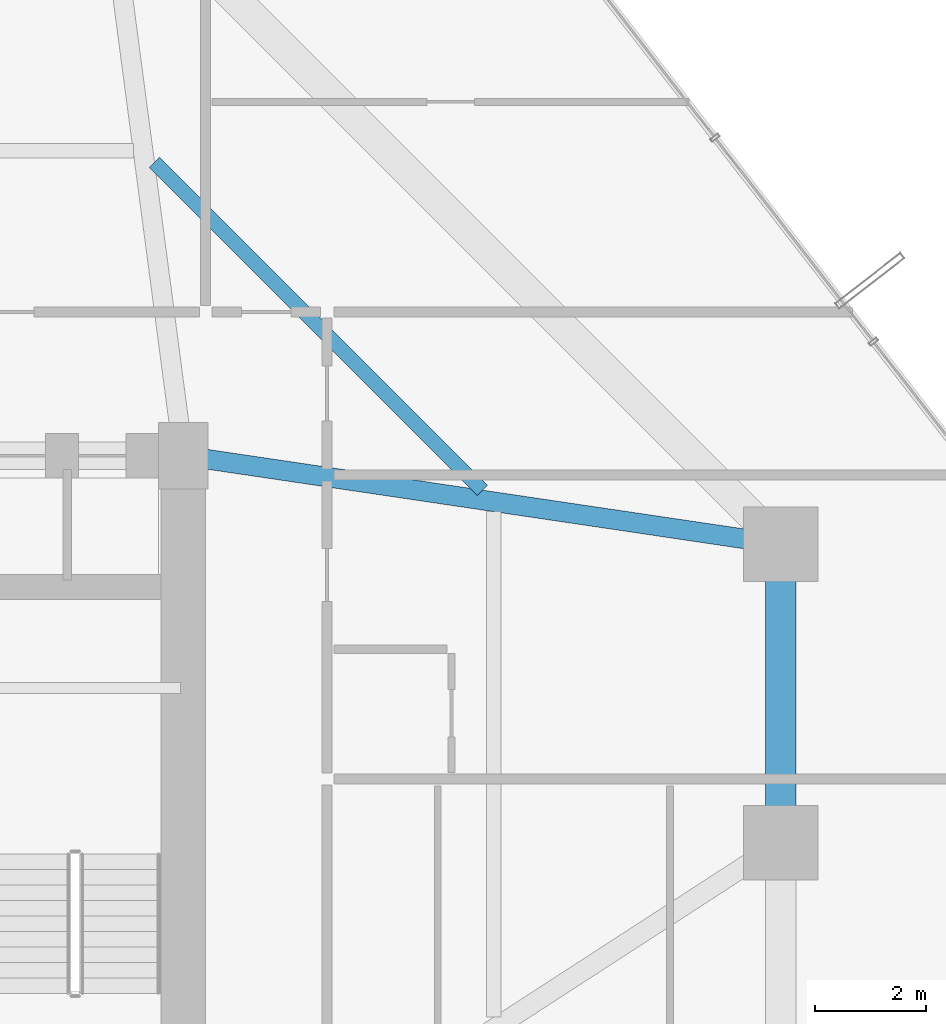
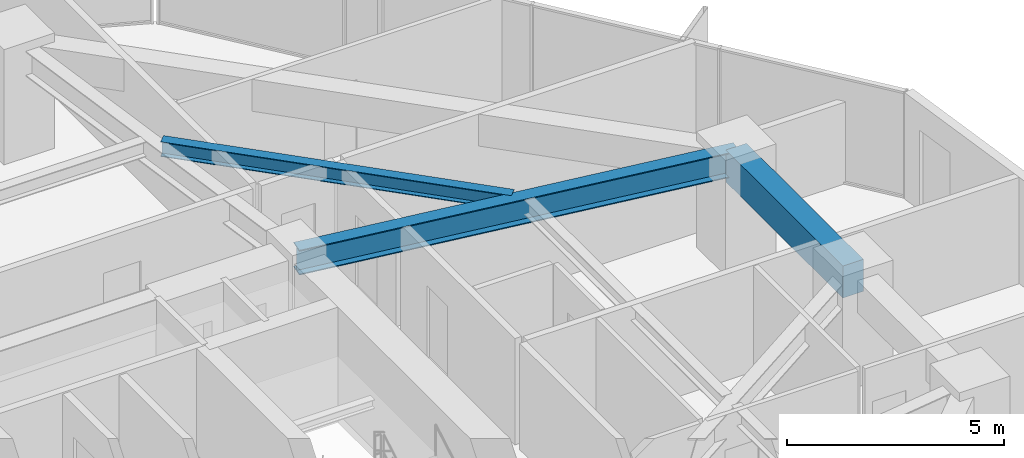
# One storey, part 19 of 37: 3 beams.
"""IFC4 building model written with IfcOpenShell, lengths in metres."""

from ifc_helpers import new_model, si_unit, direction, frame, origin, origin_2d, place, context, subcontext, project, spatial, rectangle, i_section, extrude, material, material_profile, profile_set, type_object, element, save


model = new_model("IFC4")

# Units and contexts
model_context = context("Model", 3, precision=1e-05, world=origin(), true_north=direction((0.0, 1.0)))
body_context = subcontext(model_context, "Body", "Model", "MODEL_VIEW")
ifc_project = project(units=[si_unit("LENGTHUNIT", "METRE"), si_unit("AREAUNIT", "SQUARE_METRE"), si_unit("VOLUMEUNIT", "CUBIC_METRE"), si_unit("PLANEANGLEUNIT", "RADIAN"), si_unit("MASSUNIT", "GRAM", prefix="KILO")], contexts=[model_context])

# Site, building, storey
site_placement = place(None, origin())
site = spatial("IfcSite", under=ifc_project, at=site_placement, CompositionType="ELEMENT")
building_placement = place(site_placement, origin())
building = spatial("IfcBuilding", under=site, at=building_placement, Name="Veraguas Prism Commons", CompositionType="ELEMENT")
storey_placement = place(building_placement, frame((0.0, 0.0, 50.050048828125)))
storey = spatial("IfcBuildingStorey", under=building, at=storey_placement, Name="L13", CompositionType="ELEMENT", Elevation=50.050048828125)

# Beams
ifc_material_1 = material(Name="Steel ASTM A992 Grade 50", Category="steel")
ifc_material_profile_1 = material_profile(ifc_material_1, i_section(OverallWidth=0.260986328125, OverallDepth=0.419921875, WebThickness=0.01171875, FlangeThickness=0.019287109375, at=origin_2d()), Name="W410X114")
ifc_profile_set_1 = profile_set([ifc_material_profile_1], Name="Steel ASTM A992 Grade 50")
beam_type_1 = type_object("IfcBeamType", Name="Lower Floor Joist W410x114", PredefinedType="JOIST", material=ifc_profile_set_1)
beam_1_placement = place(storey_placement, frame((36.20703125, 30.376953125, 2.7900390625), z_axis=(-0.707092226423, 0.70712133565, 0.0), x_axis=(-0.70712133565, -0.707092226423, 0.0)))
element("IfcBeam", 1, at=beam_1_placement, inside=storey, type_object=beam_type_1, Name="Composite Floor Joist L13-JS03", PredefinedType="JOIST", context=body_context, shape_type="SweptSolid", body=[
    extrude(i_section(OverallWidth=0.260986328125, OverallDepth=0.419921875, WebThickness=0.01171875, FlangeThickness=0.019287109375, at=origin_2d()), origin(), (0.0, 0.0, 1.0), 8.386962890625),
])
ifc_material_2 = material(Name="Concrete C50/60", Category="concrete")
ifc_material_profile_2 = material_profile(ifc_material_2, rectangle(XDim=0.550048828125, YDim=0.89990234375, at=origin_2d()), Name="RC550X900")
ifc_profile_set_2 = profile_set([ifc_material_profile_2], Name="Concrete C50/60")
beam_type_2 = type_object("IfcBeamType", Name="Perimeter Spandrel Lower RC 550x900", PredefinedType="SPANDREL", material=ifc_profile_set_2)
beam_2_placement = place(storey_placement, frame((41.60009765625, 24.0, 2.550048828125), z_axis=(0.0, 1.0, 0.0), x_axis=(-1.0, 0.0, 0.0)))
element("IfcBeam", 2, at=beam_2_placement, inside=storey, type_object=beam_type_2, Name="Perimeter Spandrel Beam L13-SP02", PredefinedType="SPANDREL", context=body_context, shape_type="SweptSolid", body=[
    extrude(rectangle(XDim=0.550048828125, YDim=0.89990234375, at=origin_2d()), origin(), (0.0, 0.0, 1.0), 5.39990234375),
])
ifc_material_profile_3 = material_profile(ifc_material_1, i_section(OverallWidth=0.35595703125, OverallDepth=0.700927734375, WebThickness=0.016845703125, FlangeThickness=0.02734375, at=origin_2d()), Name="W690X240")
ifc_profile_set_3 = profile_set([ifc_material_profile_3], Name="Steel ASTM A992 Grade 50")
beam_type_3 = type_object("IfcBeamType", Name="Zone 1 Radial Girder W690x240", PredefinedType="BEAM", material=ifc_profile_set_3)
beam_3_placement = place(storey_placement, frame((41.60009765625, 29.39990234375, 2.6494140625), z_axis=(-0.989202261707, 0.146556765224, 0.0), x_axis=(-0.146556765224, -0.989202261707, 0.0)))
element("IfcBeam", 3, at=beam_3_placement, inside=storey, type_object=beam_type_3, Name="Radial Floor Girder L13-RD03", PredefinedType="BEAM", context=body_context, shape_type="SweptSolid", body=[
    extrude(i_section(OverallWidth=0.35595703125, OverallDepth=0.700927734375, WebThickness=0.016845703125, FlangeThickness=0.02734375, at=origin_2d()), origin(), (0.0, 0.0, 1.0), 10.91796875),
])

save(model, "model.ifc")
